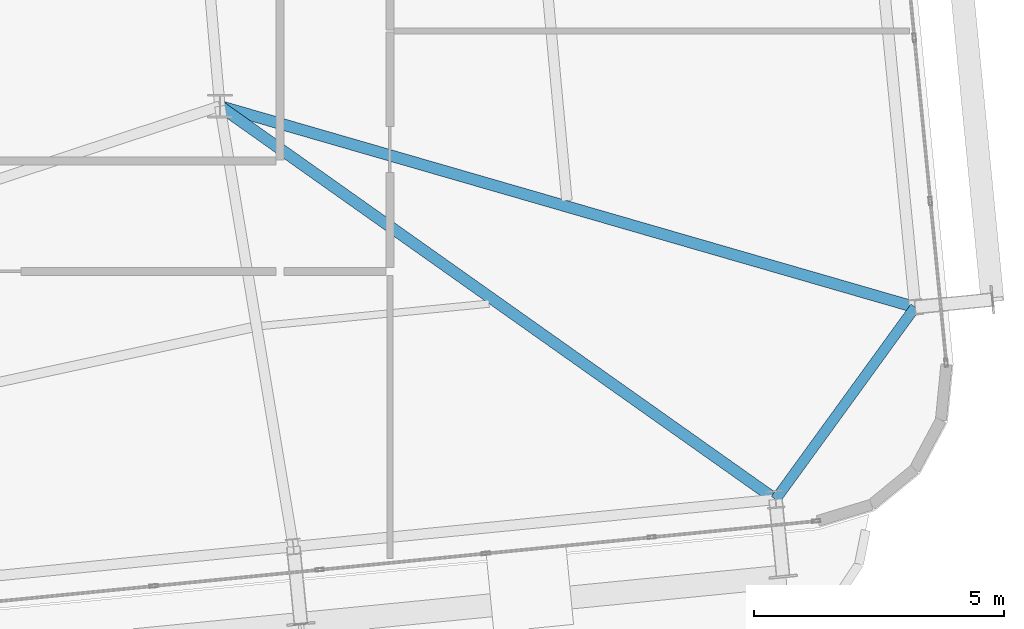
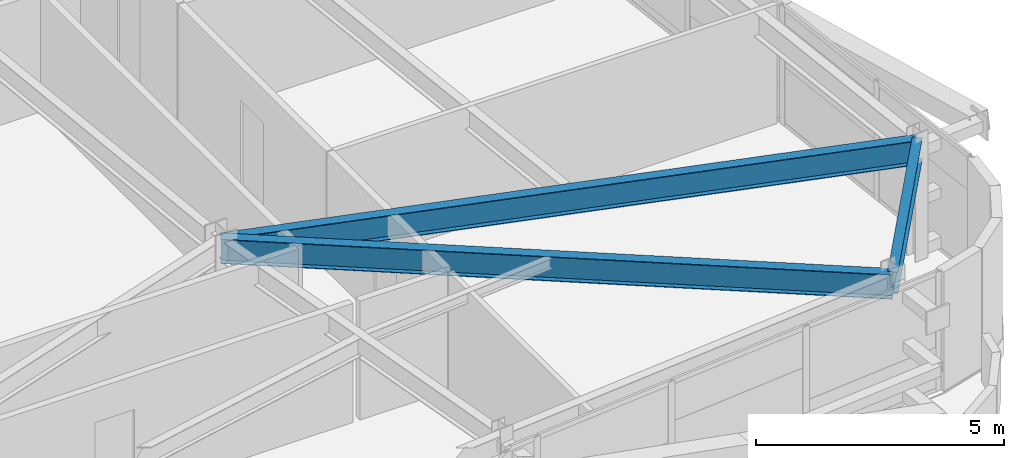
# One storey, part 21 of 51: 3 beams.
"""IFC4 building model written with IfcOpenShell, lengths in metres."""

from ifc_helpers import new_model, si_unit, direction, frame, origin, origin_2d, place, context, subcontext, project, spatial, i_section, extrude, source, transform, mapped, material, material_profile, profile_set, type_object, element, save


model = new_model("IFC4")

# Units and contexts
model_context = context("Model", 3, precision=1e-05, world=origin(), true_north=direction((0.0, 1.0)))
body_context = subcontext(model_context, "Body", "Model", "MODEL_VIEW")
ifc_project = project(units=[si_unit("LENGTHUNIT", "METRE"), si_unit("AREAUNIT", "SQUARE_METRE"), si_unit("VOLUMEUNIT", "CUBIC_METRE"), si_unit("PLANEANGLEUNIT", "RADIAN"), si_unit("MASSUNIT", "GRAM", prefix="KILO")], contexts=[model_context])

# Site, building, storey
site_placement = place(None, origin())
site = spatial("IfcSite", under=ifc_project, at=site_placement, CompositionType="ELEMENT")
building_placement = place(site_placement, origin())
building = spatial("IfcBuilding", under=site, at=building_placement, Name="Taldren Reach Tower", CompositionType="ELEMENT")
storey_placement = place(building_placement, frame((0.0, 0.0, 65.10009765625)))
storey = spatial("IfcBuildingStorey", under=building, at=storey_placement, Name="L19", CompositionType="ELEMENT", Elevation=65.10009765625)

# Beams
ifc_material = material(Name="Steel Gr 350 (350PLUS)", Category="steel")
ifc_material_profile_1 = material_profile(ifc_material, i_section(OverallWidth=0.208984375, OverallDepth=0.528076171875, WebThickness=0.009521484375, FlangeThickness=0.01318359375, at=origin_2d()), Name="530UB82.0")
ifc_profile_set_1 = profile_set([ifc_material_profile_1], Name="Steel Gr 350 (350PLUS)")
beam_type_1 = type_object("IfcBeamType", Name="SP-UB530B", PredefinedType="SPANDREL", material=ifc_profile_set_1)
shared_shape_1 = source(origin(), body_context, "Body", "SweptSolid", [
    extrude(i_section(OverallWidth=0.208984375, OverallDepth=0.528076171875, WebThickness=0.009521484375, FlangeThickness=0.01318359375, at=origin_2d()), origin(), (0.0, 0.0, 1.0), 4.74609375),
])
beam_1_placement = place(storey_placement, frame((63.103271484375, 4.64306640625, 2.666015625), z_axis=(0.58750777154, 0.809218523255, 0.0), x_axis=(-0.809218523255, 0.58750777154, 0.0)))
element("IfcBeam", 1, at=beam_1_placement, inside=storey, type_object=beam_type_1, Name="Perimeter spandrel B2 S6-E1 L19", PredefinedType="SPANDREL", context=body_context, shape_type="MappedRepresentation", body=[
    mapped(shared_shape_1, transform((0.0, 0.0, 0.0), scale=1.0)),
])
ifc_material_profile_2 = material_profile(ifc_material, i_section(OverallWidth=0.22802734375, OverallDepth=0.60205078125, WebThickness=0.010498046875, FlangeThickness=0.014892578125, at=origin_2d()), Name="610UB101")
ifc_profile_set_2 = profile_set([ifc_material_profile_2], Name="Steel Gr 350 (350PLUS)")
beam_type_2 = type_object("IfcBeamType", Name="BM-UB610B", PredefinedType="BEAM", material=ifc_profile_set_2)
shared_shape_2 = source(origin(), body_context, "Body", "SweptSolid", [
    extrude(i_section(OverallWidth=0.22802734375, OverallDepth=0.60205078125, WebThickness=0.010498046875, FlangeThickness=0.014892578125, at=origin_2d()), origin(), (0.0, 0.0, 1.0), 13.60205078125),
])
beam_2_placement = place(storey_placement, frame((52.0, 12.5, 2.62890625), z_axis=(0.816297773281, -0.577631323022, 0.0), x_axis=(0.577631323022, 0.816297773281, 0.0)))
element("IfcBeam", 2, at=beam_2_placement, inside=storey, type_object=beam_type_2, Name="Primary floor girder B2-S6 L19", PredefinedType="BEAM", context=body_context, shape_type="MappedRepresentation", body=[
    mapped(shared_shape_2, transform((0.0, 0.0, 0.0), scale=1.0)),
])
shared_shape_3 = source(origin(), body_context, "Body", "SweptSolid", [
    extrude(i_section(OverallWidth=0.22802734375, OverallDepth=0.60205078125, WebThickness=0.010498046875, FlangeThickness=0.014892578125, at=origin_2d()), origin(), (0.0, 0.0, 1.0), 14.46044921875),
])
beam_3_placement = place(storey_placement, frame((52.0, 12.5, 2.62890625), z_axis=(0.960654638583, -0.277745684698, 0.0), x_axis=(0.277745684698, 0.960654638583, 0.0)))
element("IfcBeam", 3, at=beam_3_placement, inside=storey, type_object=beam_type_2, Name="Primary floor girder B2-E1 L19", PredefinedType="BEAM", context=body_context, shape_type="MappedRepresentation", body=[
    mapped(shared_shape_3, transform((0.0, 0.0, 0.0), scale=1.0)),
])

save(model, "model.ifc")
